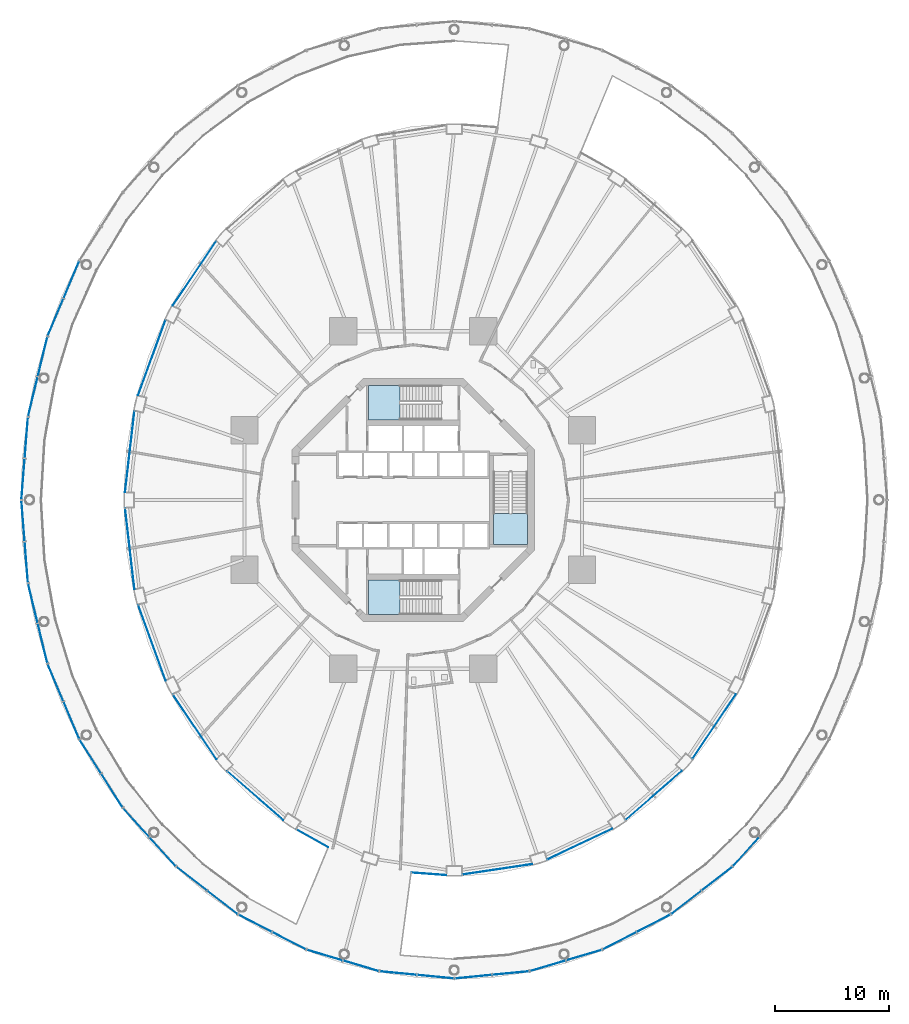
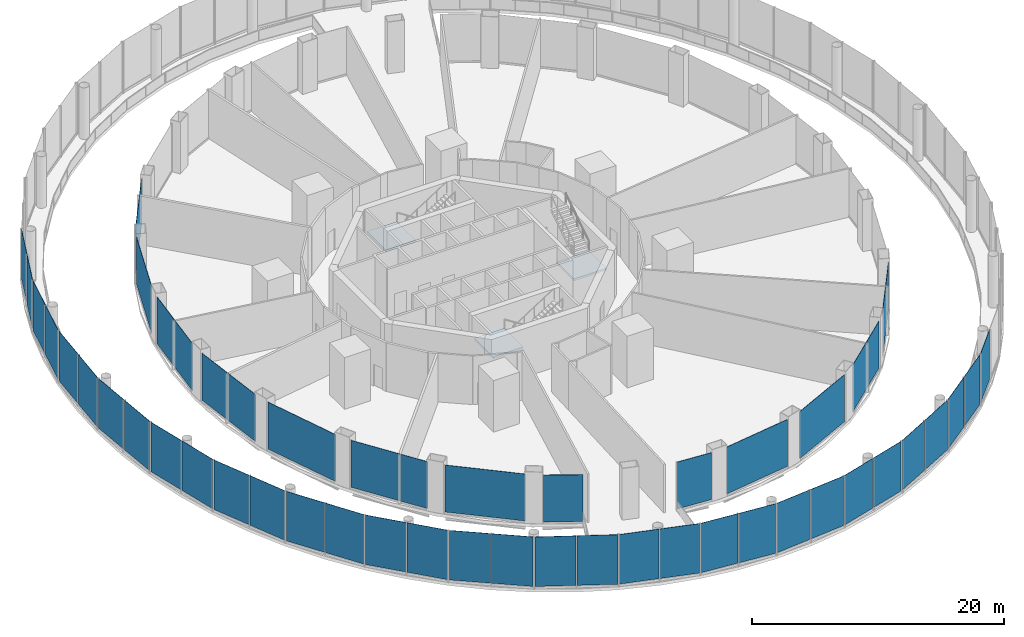
# One storey, part 39 of 48: 46 plates, 3 slabs, 33 elements without a shape of their own.
"""IFC4 building model written with IfcOpenShell, lengths in metres."""

from ifc_helpers import new_model, si_unit, direction, frame, origin, origin_2d, place, context, subcontext, project, spatial, polyline, rectangle, outline, extrude, material, layer, layer_set, type_object, element, aggregate, save


model = new_model("IFC4")

# Units and contexts
model_context = context("Model", 3, precision=1e-05, world=origin(), true_north=direction((0.0, 1.0)))
body_context = subcontext(model_context, "Body", "Model", "MODEL_VIEW")
ifc_project = project(units=[si_unit("LENGTHUNIT", "METRE"), si_unit("AREAUNIT", "SQUARE_METRE"), si_unit("VOLUMEUNIT", "CUBIC_METRE"), si_unit("PLANEANGLEUNIT", "RADIAN"), si_unit("MASSUNIT", "GRAM", prefix="KILO")], contexts=[model_context])

# Site, building, storey
site_placement = place(None, origin())
site = spatial("IfcSite", under=ifc_project, at=site_placement, CompositionType="ELEMENT")
building_placement = place(site_placement, origin())
building = spatial("IfcBuilding", under=site, at=building_placement, Name="Nagisa Residences", CompositionType="ELEMENT")
storey_placement = place(building_placement, frame((0.0, 0.0, 12.0)))
storey = spatial("IfcBuildingStorey", under=building, at=storey_placement, Name="L02", CompositionType="ELEMENT", Elevation=12.0)

# Curtain wall, plates
ifc_material_1 = material(Name="Stainless steel curtain wall system", Category="steel")
ifc_layer_1 = layer(ifc_material_1, 0.159912109375)
ifc_layer_set_1 = layer_set([ifc_layer_1], Name="CW3 CURTAIN WALL")
curtain_wall_type_1 = type_object("IfcCurtainWallType", Name="CW3 CURTAIN WALL", PredefinedType="NOTDEFINED", material=ifc_layer_set_1)
curtain_wall_1_placement = place(storey_placement, origin())
curtain_wall_1 = element("IfcCurtainWall", 1, at=curtain_wall_1_placement, inside=storey, type_object=curtain_wall_type_1, Name="cw:CW3:L02:15", PredefinedType="NOTDEFINED")
ifc_material_2 = material(Name="Low-iron laminated glass", Category="glass")
ifc_layer_2 = layer(ifc_material_2, 0.028076171875)
ifc_layer_set_2 = layer_set([ifc_layer_2], Name="CW3 GLASS PANEL")
plate_type_1 = type_object("IfcPlateType", Name="CW3 GLASS PANEL", PredefinedType="CURTAIN_PANEL", material=ifc_layer_set_2)
plate_1_placement = place(storey_placement, frame((-29.94287109375, 19.291748046875, 0.2001953125), z_axis=(0.0, 0.0, 1.0), x_axis=(-0.388718029417, -0.921356767819, 0.0)))
plate_1 = element("IfcPlate", 2, at=plate_1_placement, type_object=plate_type_1, Name="CW3 panel", PredefinedType="CURTAIN_PANEL", context=body_context, shape_type="SweptSolid", body=[
    extrude(rectangle(XDim=3.480712890625, YDim=0.028076171875, at=origin_2d()), origin(), (0.0, 0.0, 1.0), 4.800048828125),
])
plate_2_placement = place(storey_placement, frame((-31.326904296875, 16.010986328125, 0.2001953125), z_axis=(0.0, 0.0, 1.0), x_axis=(-0.388718029417, -0.921356767819, 0.0)))
plate_2 = element("IfcPlate", 3, at=plate_2_placement, type_object=plate_type_1, Name="CW3 panel", PredefinedType="CURTAIN_PANEL", context=body_context, shape_type="SweptSolid", body=[
    extrude(rectangle(XDim=3.480712890625, YDim=0.028076171875, at=origin_2d()), origin(), (0.0, 0.0, 1.0), 4.800048828125),
])
aggregate(curtain_wall_1, [plate_1, plate_2])

curtain_wall_2_placement = place(storey_placement, origin())
curtain_wall_2 = element("IfcCurtainWall", 4, at=curtain_wall_2_placement, inside=storey, type_object=curtain_wall_type_1, Name="cw:CW3:L02:16", PredefinedType="NOTDEFINED")
plate_3_placement = place(storey_placement, frame((-32.4638671875, 12.55859375, 0.2001953125), z_axis=(0.0, 0.0, 1.0), x_axis=(-0.235605514043, -0.971848775146, 0.0)))
plate_3 = element("IfcPlate", 5, at=plate_3_placement, type_object=plate_type_1, Name="CW3 panel", PredefinedType="CURTAIN_PANEL", context=body_context, shape_type="SweptSolid", body=[
    extrude(rectangle(XDim=3.518310546875, YDim=0.028076171875, at=origin_2d()), origin(), (0.0, 0.0, 1.0), 4.800048828125),
])
plate_4_placement = place(storey_placement, frame((-33.3115234375, 9.061767578125, 0.2001953125), z_axis=(0.0, 0.0, 1.0), x_axis=(-0.235605514043, -0.971848775146, 0.0)))
plate_4 = element("IfcPlate", 6, at=plate_4_placement, type_object=plate_type_1, Name="CW3 panel", PredefinedType="CURTAIN_PANEL", context=body_context, shape_type="SweptSolid", body=[
    extrude(rectangle(XDim=3.518310546875, YDim=0.028076171875, at=origin_2d()), origin(), (0.0, 0.0, 1.0), 4.800048828125),
])
aggregate(curtain_wall_2, [plate_3, plate_4])

curtain_wall_3_placement = place(storey_placement, origin())
curtain_wall_3 = element("IfcCurtainWall", 7, at=curtain_wall_3_placement, inside=storey, type_object=curtain_wall_type_1, Name="cw:CW3:L02:17", PredefinedType="NOTDEFINED")
plate_5_placement = place(storey_placement, frame((-33.888916015625, 5.443603515625, 0.2001953125), z_axis=(0.0, 0.0, 1.0), x_axis=(-0.078909582539, -0.996881777235, 0.0)))
plate_5 = element("IfcPlate", 8, at=plate_5_placement, type_object=plate_type_1, Name="CW3 panel", PredefinedType="CURTAIN_PANEL", context=body_context, shape_type="SweptSolid", body=[
    extrude(rectangle(XDim=3.5380859375, YDim=0.028076171875, at=origin_2d()), origin(), (0.0, 0.0, 1.0), 4.800048828125),
])
plate_6_placement = place(storey_placement, frame((-34.17431640625, 1.8369140625, 0.2001953125), z_axis=(0.0, 0.0, 1.0), x_axis=(-0.078909582539, -0.996881777235, 0.0)))
plate_6 = element("IfcPlate", 9, at=plate_6_placement, type_object=plate_type_1, Name="CW3 panel", PredefinedType="CURTAIN_PANEL", context=body_context, shape_type="SweptSolid", body=[
    extrude(rectangle(XDim=3.5380859375, YDim=0.028076171875, at=origin_2d()), origin(), (0.0, 0.0, 1.0), 4.800048828125),
])
aggregate(curtain_wall_3, [plate_5, plate_6])

curtain_wall_4_placement = place(storey_placement, origin())
curtain_wall_4 = element("IfcCurtainWall", 10, at=curtain_wall_4_placement, inside=storey, type_object=curtain_wall_type_1, Name="cw:CW3:L02:18", PredefinedType="NOTDEFINED")
plate_7_placement = place(storey_placement, frame((-34.17431640625, -1.8369140625, 0.2001953125), z_axis=(0.0, 0.0, 1.0), x_axis=(0.078909582539, -0.996881777235, 0.0)))
plate_7 = element("IfcPlate", 11, at=plate_7_placement, type_object=plate_type_1, Name="CW3 panel", PredefinedType="CURTAIN_PANEL", context=body_context, shape_type="SweptSolid", body=[
    extrude(rectangle(XDim=3.5380859375, YDim=0.028076171875, at=origin_2d()), origin(), (0.0, 0.0, 1.0), 4.800048828125),
])
plate_8_placement = place(storey_placement, frame((-33.888916015625, -5.443603515625, 0.2001953125), z_axis=(0.0, 0.0, 1.0), x_axis=(0.078909582539, -0.996881777235, 0.0)))
plate_8 = element("IfcPlate", 12, at=plate_8_placement, type_object=plate_type_1, Name="CW3 panel", PredefinedType="CURTAIN_PANEL", context=body_context, shape_type="SweptSolid", body=[
    extrude(rectangle(XDim=3.5380859375, YDim=0.028076171875, at=origin_2d()), origin(), (0.0, 0.0, 1.0), 4.800048828125),
])
aggregate(curtain_wall_4, [plate_7, plate_8])

curtain_wall_5_placement = place(storey_placement, origin())
curtain_wall_5 = element("IfcCurtainWall", 13, at=curtain_wall_5_placement, inside=storey, type_object=curtain_wall_type_1, Name="cw:CW3:L02:19", PredefinedType="NOTDEFINED")
plate_9_placement = place(storey_placement, frame((-33.3115234375, -9.061767578125, 0.2001953125), z_axis=(0.0, 0.0, 1.0), x_axis=(0.235605514043, -0.971848775146, 0.0)))
plate_9 = element("IfcPlate", 14, at=plate_9_placement, type_object=plate_type_1, Name="CW3 panel", PredefinedType="CURTAIN_PANEL", context=body_context, shape_type="SweptSolid", body=[
    extrude(rectangle(XDim=3.518310546875, YDim=0.028076171875, at=origin_2d()), origin(), (0.0, 0.0, 1.0), 4.800048828125),
])
plate_10_placement = place(storey_placement, frame((-32.4638671875, -12.55859375, 0.2001953125), z_axis=(0.0, 0.0, 1.0), x_axis=(0.235605514043, -0.971848775146, 0.0)))
plate_10 = element("IfcPlate", 15, at=plate_10_placement, type_object=plate_type_1, Name="CW3 panel", PredefinedType="CURTAIN_PANEL", context=body_context, shape_type="SweptSolid", body=[
    extrude(rectangle(XDim=3.518310546875, YDim=0.028076171875, at=origin_2d()), origin(), (0.0, 0.0, 1.0), 4.800048828125),
])
aggregate(curtain_wall_5, [plate_9, plate_10])

curtain_wall_6_placement = place(storey_placement, origin())
curtain_wall_6 = element("IfcCurtainWall", 16, at=curtain_wall_6_placement, inside=storey, type_object=curtain_wall_type_1, Name="cw:CW3:L02:20", PredefinedType="NOTDEFINED")
plate_11_placement = place(storey_placement, frame((-31.326904296875, -16.010986328125, 0.2001953125), z_axis=(0.0, 0.0, 1.0), x_axis=(0.388718029417, -0.921356767819, 0.0)))
plate_11 = element("IfcPlate", 17, at=plate_11_placement, type_object=plate_type_1, Name="CW3 panel", PredefinedType="CURTAIN_PANEL", context=body_context, shape_type="SweptSolid", body=[
    extrude(rectangle(XDim=3.480712890625, YDim=0.028076171875, at=origin_2d()), origin(), (0.0, 0.0, 1.0), 4.800048828125),
])
plate_12_placement = place(storey_placement, frame((-29.94287109375, -19.291748046875, 0.2001953125), z_axis=(0.0, 0.0, 1.0), x_axis=(0.388718029417, -0.921356767819, 0.0)))
plate_12 = element("IfcPlate", 18, at=plate_12_placement, type_object=plate_type_1, Name="CW3 panel", PredefinedType="CURTAIN_PANEL", context=body_context, shape_type="SweptSolid", body=[
    extrude(rectangle(XDim=3.480712890625, YDim=0.028076171875, at=origin_2d()), origin(), (0.0, 0.0, 1.0), 4.800048828125),
])
aggregate(curtain_wall_6, [plate_11, plate_12])

curtain_wall_7_placement = place(storey_placement, origin())
curtain_wall_7 = element("IfcCurtainWall", 19, at=curtain_wall_7_placement, inside=storey, type_object=curtain_wall_type_1, Name="cw:CW3:L02:21", PredefinedType="NOTDEFINED")
plate_13_placement = place(storey_placement, frame((-28.28076171875, -22.473388671875, 0.2001953125), z_axis=(0.0, 0.0, 1.0), x_axis=(0.535165286856, -0.844747368001, 0.0)))
plate_13 = element("IfcPlate", 20, at=plate_13_placement, type_object=plate_type_1, Name="CW3 panel", PredefinedType="CURTAIN_PANEL", context=body_context, shape_type="SweptSolid", body=[
    extrude(rectangle(XDim=3.4296875, YDim=0.028076171875, at=origin_2d()), origin(), (0.0, 0.0, 1.0), 4.800048828125),
])
plate_14_placement = place(storey_placement, frame((-26.402587890625, -25.43798828125, 0.2001953125), z_axis=(0.0, 0.0, 1.0), x_axis=(0.535165286856, -0.844747368001, 0.0)))
plate_14 = element("IfcPlate", 21, at=plate_14_placement, type_object=plate_type_1, Name="CW3 panel", PredefinedType="CURTAIN_PANEL", context=body_context, shape_type="SweptSolid", body=[
    extrude(rectangle(XDim=3.4296875, YDim=0.028076171875, at=origin_2d()), origin(), (0.0, 0.0, 1.0), 4.800048828125),
])
aggregate(curtain_wall_7, [plate_13, plate_14])

curtain_wall_8_placement = place(storey_placement, origin())
curtain_wall_8 = element("IfcCurtainWall", 22, at=curtain_wall_8_placement, inside=storey, type_object=curtain_wall_type_1, Name="cw:CW3:L02:22", PredefinedType="NOTDEFINED")
plate_15_placement = place(storey_placement, frame((-24.26611328125, -28.25244140625, 0.2001953125), z_axis=(0.0, 0.0, 1.0), x_axis=(0.670913323971, -0.741535779122, 0.0)))
plate_15 = element("IfcPlate", 23, at=plate_15_placement, type_object=plate_type_1, Name="CW3 panel", PredefinedType="CURTAIN_PANEL", context=body_context, shape_type="SweptSolid", body=[
    extrude(rectangle(XDim=3.37060546875, YDim=0.028076171875, at=origin_2d()), origin(), (0.0, 0.0, 1.0), 4.800048828125),
])
plate_16_placement = place(storey_placement, frame((-21.950927734375, -30.811279296875, 0.2001953125), z_axis=(0.0, 0.0, 1.0), x_axis=(0.670913323971, -0.741535779122, 0.0)))
plate_16 = element("IfcPlate", 24, at=plate_16_placement, type_object=plate_type_1, Name="CW3 panel", PredefinedType="CURTAIN_PANEL", context=body_context, shape_type="SweptSolid", body=[
    extrude(rectangle(XDim=3.37060546875, YDim=0.028076171875, at=origin_2d()), origin(), (0.0, 0.0, 1.0), 4.800048828125),
])
aggregate(curtain_wall_8, [plate_15, plate_16])

curtain_wall_9_placement = place(storey_placement, origin())
curtain_wall_9 = element("IfcCurtainWall", 25, at=curtain_wall_9_placement, inside=storey, type_object=curtain_wall_type_1, Name="cw:CW3:L02:23", PredefinedType="NOTDEFINED")
plate_17_placement = place(storey_placement, frame((-19.40478515625, -33.172607421875, 0.2001953125), z_axis=(0.0, 0.0, 1.0), x_axis=(0.790830864353, -0.612034757172, 0.0)))
plate_17 = element("IfcPlate", 26, at=plate_17_placement, type_object=plate_type_1, Name="CW3 panel", PredefinedType="CURTAIN_PANEL", context=body_context, shape_type="SweptSolid", body=[
    extrude(rectangle(XDim=3.310546875, YDim=0.028076171875, at=origin_2d()), origin(), (0.0, 0.0, 1.0), 4.800048828125),
])
plate_18_placement = place(storey_placement, frame((-16.723388671875, -35.247802734375, 0.2001953125), z_axis=(0.0, 0.0, 1.0), x_axis=(0.790830864353, -0.612034757172, 0.0)))
plate_18 = element("IfcPlate", 27, at=plate_18_placement, type_object=plate_type_1, Name="CW3 panel", PredefinedType="CURTAIN_PANEL", context=body_context, shape_type="SweptSolid", body=[
    extrude(rectangle(XDim=3.310546875, YDim=0.028076171875, at=origin_2d()), origin(), (0.0, 0.0, 1.0), 4.800048828125),
])
aggregate(curtain_wall_9, [plate_17, plate_18])

curtain_wall_10_placement = place(storey_placement, origin())
curtain_wall_10 = element("IfcCurtainWall", 28, at=curtain_wall_10_placement, inside=storey, type_object=curtain_wall_type_1, Name="cw:CW3:L02:24", PredefinedType="NOTDEFINED")
plate_19_placement = place(storey_placement, frame((-13.8447265625, -37.084716796875, 0.2001953125), z_axis=(0.0, 0.0, 1.0), x_axis=(0.888887270285, -0.45812598783, 0.0)))
plate_19 = element("IfcPlate", 29, at=plate_19_placement, type_object=plate_type_1, Name="CW3 panel", PredefinedType="CURTAIN_PANEL", context=body_context, shape_type="SweptSolid", body=[
    extrude(rectangle(XDim=3.2568359375, YDim=0.028076171875, at=origin_2d()), origin(), (0.0, 0.0, 1.0), 4.800048828125),
])
plate_20_placement = place(storey_placement, frame((-10.878662109375, -38.61328125, 0.2001953125), z_axis=(0.0, 0.0, 1.0), x_axis=(0.888887270285, -0.45812598783, 0.0)))
plate_20 = element("IfcPlate", 30, at=plate_20_placement, type_object=plate_type_1, Name="CW3 panel", PredefinedType="CURTAIN_PANEL", context=body_context, shape_type="SweptSolid", body=[
    extrude(rectangle(XDim=3.2568359375, YDim=0.028076171875, at=origin_2d()), origin(), (0.0, 0.0, 1.0), 4.800048828125),
])
aggregate(curtain_wall_10, [plate_19, plate_20])

curtain_wall_11_placement = place(storey_placement, origin())
curtain_wall_11 = element("IfcCurtainWall", 31, at=curtain_wall_11_placement, inside=storey, type_object=curtain_wall_type_1, Name="cw:CW3:L02:25", PredefinedType="NOTDEFINED")
plate_21_placement = place(storey_placement, frame((-7.75537109375, -39.869873046875, 0.2001953125), z_axis=(0.0, 0.0, 1.0), x_axis=(0.958835171393, -0.283963226669, 0.0)))
plate_21 = element("IfcPlate", 32, at=plate_21_placement, type_object=plate_type_1, Name="CW3 panel", PredefinedType="CURTAIN_PANEL", context=body_context, shape_type="SweptSolid", body=[
    extrude(rectangle(XDim=3.21630859375, YDim=0.028076171875, at=origin_2d()), origin(), (0.0, 0.0, 1.0), 4.800048828125),
])
plate_22_placement = place(storey_placement, frame((-4.5947265625, -40.805908203125, 0.2001953125), z_axis=(0.0, 0.0, 1.0), x_axis=(0.958835171393, -0.283963226669, 0.0)))
plate_22 = element("IfcPlate", 33, at=plate_22_placement, type_object=plate_type_1, Name="CW3 panel", PredefinedType="CURTAIN_PANEL", context=body_context, shape_type="SweptSolid", body=[
    extrude(rectangle(XDim=3.21630859375, YDim=0.028076171875, at=origin_2d()), origin(), (0.0, 0.0, 1.0), 4.800048828125),
])
aggregate(curtain_wall_11, [plate_21, plate_22])

curtain_wall_12_placement = place(storey_placement, origin())
curtain_wall_12 = element("IfcCurtainWall", 34, at=curtain_wall_12_placement, inside=storey, type_object=curtain_wall_type_1, Name="cw:CW3:L02:26", PredefinedType="NOTDEFINED")
plate_23_placement = place(storey_placement, frame((-1.3212890625, -41.44384765625, 0.2001953125), z_axis=(0.0, 0.0, 1.0), x_axis=(0.995357282289, -0.096249055035, 0.0)))
plate_23 = element("IfcPlate", 35, at=plate_23_placement, type_object=plate_type_1, Name="CW3 panel", PredefinedType="CURTAIN_PANEL", context=body_context, shape_type="SweptSolid", body=[
    extrude(rectangle(XDim=3.19482421875, YDim=0.028076171875, at=origin_2d()), origin(), (0.0, 0.0, 1.0), 4.800048828125),
])
plate_24_placement = place(storey_placement, frame((1.938232421875, -41.759033203125, 0.2001953125), z_axis=(0.0, 0.0, 1.0), x_axis=(0.995357282289, -0.096249055035, 0.0)))
plate_24 = element("IfcPlate", 36, at=plate_24_placement, type_object=plate_type_1, Name="CW3 panel", PredefinedType="CURTAIN_PANEL", context=body_context, shape_type="SweptSolid", body=[
    extrude(rectangle(XDim=3.19482421875, YDim=0.028076171875, at=origin_2d()), origin(), (0.0, 0.0, 1.0), 4.800048828125),
])
aggregate(curtain_wall_12, [plate_23, plate_24])

curtain_wall_13_placement = place(storey_placement, origin())
curtain_wall_13 = element("IfcCurtainWall", 37, at=curtain_wall_13_placement, inside=storey, type_object=curtain_wall_type_1, Name="cw:CW3:L02:27", PredefinedType="NOTDEFINED")
plate_25_placement = place(storey_placement, frame((5.261962890625, -41.759033203125, 0.2001953125), z_axis=(0.0, 0.0, 1.0), x_axis=(0.995357282289, 0.096249055035, 0.0)))
plate_25 = element("IfcPlate", 38, at=plate_25_placement, type_object=plate_type_1, Name="CW3 panel", PredefinedType="CURTAIN_PANEL", context=body_context, shape_type="SweptSolid", body=[
    extrude(rectangle(XDim=3.19482421875, YDim=0.028076171875, at=origin_2d()), origin(), (0.0, 0.0, 1.0), 4.800048828125),
])
plate_26_placement = place(storey_placement, frame((8.521484375, -41.44384765625, 0.2001953125), z_axis=(0.0, 0.0, 1.0), x_axis=(0.995357282289, 0.096249055035, 0.0)))
plate_26 = element("IfcPlate", 39, at=plate_26_placement, type_object=plate_type_1, Name="CW3 panel", PredefinedType="CURTAIN_PANEL", context=body_context, shape_type="SweptSolid", body=[
    extrude(rectangle(XDim=3.19482421875, YDim=0.028076171875, at=origin_2d()), origin(), (0.0, 0.0, 1.0), 4.800048828125),
])
aggregate(curtain_wall_13, [plate_25, plate_26])

curtain_wall_14_placement = place(storey_placement, origin())
curtain_wall_14 = element("IfcCurtainWall", 40, at=curtain_wall_14_placement, inside=storey, type_object=curtain_wall_type_1, Name="cw:CW3:L02:28", PredefinedType="NOTDEFINED")
plate_27_placement = place(storey_placement, frame((11.794677734375, -40.805908203125, 0.2001953125), z_axis=(0.0, 0.0, 1.0), x_axis=(0.958835171393, 0.283963226669, 0.0)))
plate_27 = element("IfcPlate", 41, at=plate_27_placement, type_object=plate_type_1, Name="CW3 panel", PredefinedType="CURTAIN_PANEL", context=body_context, shape_type="SweptSolid", body=[
    extrude(rectangle(XDim=3.21630859375, YDim=0.028076171875, at=origin_2d()), origin(), (0.0, 0.0, 1.0), 4.800048828125),
])
plate_28_placement = place(storey_placement, frame((14.955322265625, -39.869873046875, 0.2001953125), z_axis=(0.0, 0.0, 1.0), x_axis=(0.958835171393, 0.283963226669, 0.0)))
plate_28 = element("IfcPlate", 42, at=plate_28_placement, type_object=plate_type_1, Name="CW3 panel", PredefinedType="CURTAIN_PANEL", context=body_context, shape_type="SweptSolid", body=[
    extrude(rectangle(XDim=3.21630859375, YDim=0.028076171875, at=origin_2d()), origin(), (0.0, 0.0, 1.0), 4.800048828125),
])
aggregate(curtain_wall_14, [plate_27, plate_28])

curtain_wall_15_placement = place(storey_placement, origin())
curtain_wall_15 = element("IfcCurtainWall", 43, at=curtain_wall_15_placement, inside=storey, type_object=curtain_wall_type_1, Name="cw:CW3:L02:29", PredefinedType="NOTDEFINED")
plate_29_placement = place(storey_placement, frame((18.07861328125, -38.61328125, 0.2001953125), z_axis=(0.0, 0.0, 1.0), x_axis=(0.888887270285, 0.45812598783, 0.0)))
plate_29 = element("IfcPlate", 44, at=plate_29_placement, type_object=plate_type_1, Name="CW3 panel", PredefinedType="CURTAIN_PANEL", context=body_context, shape_type="SweptSolid", body=[
    extrude(rectangle(XDim=3.2568359375, YDim=0.028076171875, at=origin_2d()), origin(), (0.0, 0.0, 1.0), 4.800048828125),
])
plate_30_placement = place(storey_placement, frame((21.044677734375, -37.084716796875, 0.2001953125), z_axis=(0.0, 0.0, 1.0), x_axis=(0.888887270285, 0.45812598783, 0.0)))
plate_30 = element("IfcPlate", 45, at=plate_30_placement, type_object=plate_type_1, Name="CW3 panel", PredefinedType="CURTAIN_PANEL", context=body_context, shape_type="SweptSolid", body=[
    extrude(rectangle(XDim=3.2568359375, YDim=0.028076171875, at=origin_2d()), origin(), (0.0, 0.0, 1.0), 4.800048828125),
])
aggregate(curtain_wall_15, [plate_29, plate_30])

curtain_wall_16_placement = place(storey_placement, origin())
curtain_wall_16 = element("IfcCurtainWall", 46, at=curtain_wall_16_placement, inside=storey, type_object=curtain_wall_type_1, Name="cw:CW3:L02:30", PredefinedType="NOTDEFINED")
plate_31_placement = place(storey_placement, frame((23.92333984375, -35.247802734375, 0.2001953125), z_axis=(0.0, 0.0, 1.0), x_axis=(0.790830864353, 0.612034757172, 0.0)))
plate_31 = element("IfcPlate", 47, at=plate_31_placement, type_object=plate_type_1, Name="CW3 panel", PredefinedType="CURTAIN_PANEL", context=body_context, shape_type="SweptSolid", body=[
    extrude(rectangle(XDim=3.310546875, YDim=0.028076171875, at=origin_2d()), origin(), (0.0, 0.0, 1.0), 4.800048828125),
])
plate_32_placement = place(storey_placement, frame((26.604736328125, -33.172607421875, 0.2001953125), z_axis=(0.0, 0.0, 1.0), x_axis=(0.790830864353, 0.612034757172, 0.0)))
plate_32 = element("IfcPlate", 48, at=plate_32_placement, type_object=plate_type_1, Name="CW3 panel", PredefinedType="CURTAIN_PANEL", context=body_context, shape_type="SweptSolid", body=[
    extrude(rectangle(XDim=3.310546875, YDim=0.028076171875, at=origin_2d()), origin(), (0.0, 0.0, 1.0), 4.800048828125),
])
aggregate(curtain_wall_16, [plate_31, plate_32])

# Curtain wall, plate
curtain_wall_17_placement = place(storey_placement, origin())
curtain_wall_17 = element("IfcCurtainWall", 49, at=curtain_wall_17_placement, inside=storey, type_object=curtain_wall_type_1, Name="cw:CW3:L02:31", PredefinedType="NOTDEFINED")
plate_33_placement = place(storey_placement, frame((29.15087890625, -30.811279296875, 0.2001953125), z_axis=(0.0, 0.0, 1.0), x_axis=(0.670913323971, 0.741535779122, 0.0)))
plate_33 = element("IfcPlate", 50, at=plate_33_placement, type_object=plate_type_1, Name="CW3 panel", PredefinedType="CURTAIN_PANEL", context=body_context, shape_type="SweptSolid", body=[
    extrude(rectangle(XDim=3.37060546875, YDim=0.028076171875, at=origin_2d()), origin(), (0.0, 0.0, 1.0), 4.800048828125),
])
aggregate(curtain_wall_17, [plate_33])

ifc_material_3 = material(Name="Stainless steel curtain wall system", Category="steel")
ifc_layer_3 = layer(ifc_material_3, 0.159912109375)
ifc_layer_set_3 = layer_set([ifc_layer_3], Name="CW6 CURTAIN WALL")
curtain_wall_type_2 = type_object("IfcCurtainWallType", Name="CW6 CURTAIN WALL", PredefinedType="NOTDEFINED", material=ifc_layer_set_3)
curtain_wall_18_placement = place(storey_placement, origin())
curtain_wall_18 = element("IfcCurtainWall", 51, at=curtain_wall_18_placement, inside=storey, type_object=curtain_wall_type_2, Name="cw:CW6:L02:18", PredefinedType="NOTDEFINED")
ifc_material_4 = material(Name="Low-iron laminated glass", Category="glass")
ifc_layer_4 = layer(ifc_material_4, 0.028076171875)
ifc_layer_set_4 = layer_set([ifc_layer_4], Name="CW6 GLASS PANEL")
plate_type_2 = type_object("IfcPlateType", Name="CW6 GLASS PANEL", PredefinedType="CURTAIN_PANEL", material=ifc_layer_set_4)
plate_34_placement = place(storey_placement, frame((-19.160888671875, 19.84765625, 0.14990234375), z_axis=(0.0, 0.0, 1.0), x_axis=(-0.559084136544, -0.829110926393, 0.0)))
plate_34 = element("IfcPlate", 52, at=plate_34_placement, type_object=plate_type_2, Name="CW6 panel", PredefinedType="CURTAIN_PANEL", context=body_context, shape_type="SweptSolid", body=[
    extrude(rectangle(XDim=6.783203125, YDim=0.028076171875, at=origin_2d()), origin(), (0.0, 0.0, 1.0), 4.550048828125),
])
aggregate(curtain_wall_18, [plate_34])

curtain_wall_19_placement = place(storey_placement, origin())
curtain_wall_19 = element("IfcCurtainWall", 53, at=curtain_wall_19_placement, inside=storey, type_object=curtain_wall_type_2, Name="cw:CW6:L02:20", PredefinedType="NOTDEFINED")
plate_35_placement = place(storey_placement, frame((-22.8984375, 12.46484375, 0.14990234375), z_axis=(0.0, 0.0, 1.0), x_axis=(-0.342049702176, -0.939681861718, 0.0)))
plate_35 = element("IfcPlate", 54, at=plate_35_placement, type_object=plate_type_2, Name="CW6 panel", PredefinedType="CURTAIN_PANEL", context=body_context, shape_type="SweptSolid", body=[
    extrude(rectangle(XDim=7.009765625, YDim=0.028076171875, at=origin_2d()), origin(), (0.0, 0.0, 1.0), 4.550048828125),
])
aggregate(curtain_wall_19, [plate_35])

curtain_wall_20_placement = place(storey_placement, origin())
curtain_wall_20 = element("IfcCurtainWall", 55, at=curtain_wall_20_placement, inside=storey, type_object=curtain_wall_type_2, Name="cw:CW6:L02:22", PredefinedType="NOTDEFINED")
plate_36_placement = place(storey_placement, frame((-24.829833984375, 4.2314453125, 0.14990234375), z_axis=(0.0, 0.0, 1.0), x_axis=(-0.114928006139, -0.993373823596, 0.0)))
plate_36 = element("IfcPlate", 56, at=plate_36_placement, type_object=plate_type_2, Name="CW6 panel", PredefinedType="CURTAIN_PANEL", context=body_context, shape_type="SweptSolid", body=[
    extrude(rectangle(XDim=7.137939453125, YDim=0.028076171875, at=origin_2d()), origin(), (0.0, 0.0, 1.0), 4.550048828125),
])
aggregate(curtain_wall_20, [plate_36])

curtain_wall_21_placement = place(storey_placement, origin())
curtain_wall_21 = element("IfcCurtainWall", 57, at=curtain_wall_21_placement, inside=storey, type_object=curtain_wall_type_2, Name="cw:CW6:L02:24", PredefinedType="NOTDEFINED")
plate_37_placement = place(storey_placement, frame((-24.822998046875, -4.291015625, 0.14990234375), z_axis=(0.0, 0.0, 1.0), x_axis=(0.114928006139, -0.993373823596, 0.0)))
plate_37 = element("IfcPlate", 58, at=plate_37_placement, type_object=plate_type_2, Name="CW6 panel", PredefinedType="CURTAIN_PANEL", context=body_context, shape_type="SweptSolid", body=[
    extrude(rectangle(XDim=7.137939453125, YDim=0.028076171875, at=origin_2d()), origin(), (0.0, 0.0, 1.0), 4.550048828125),
])
aggregate(curtain_wall_21, [plate_37])

curtain_wall_22_placement = place(storey_placement, origin())
curtain_wall_22 = element("IfcCurtainWall", 59, at=curtain_wall_22_placement, inside=storey, type_object=curtain_wall_type_2, Name="cw:CW6:L02:26", PredefinedType="NOTDEFINED")
plate_38_placement = place(storey_placement, frame((-22.8779296875, -12.521240234375, 0.14990234375), z_axis=(0.0, 0.0, 1.0), x_axis=(0.342049702176, -0.939681861718, 0.0)))
plate_38 = element("IfcPlate", 60, at=plate_38_placement, type_object=plate_type_2, Name="CW6 panel", PredefinedType="CURTAIN_PANEL", context=body_context, shape_type="SweptSolid", body=[
    extrude(rectangle(XDim=7.009765625, YDim=0.028076171875, at=origin_2d()), origin(), (0.0, 0.0, 1.0), 4.550048828125),
])
aggregate(curtain_wall_22, [plate_38])

curtain_wall_23_placement = place(storey_placement, origin())
curtain_wall_23 = element("IfcCurtainWall", 61, at=curtain_wall_23_placement, inside=storey, type_object=curtain_wall_type_2, Name="cw:CW6:L02:28", PredefinedType="NOTDEFINED")
plate_39_placement = place(storey_placement, frame((-19.127197265625, -19.8974609375, 0.14990234375), z_axis=(0.0, 0.0, 1.0), x_axis=(0.559084136544, -0.829110926393, 0.0)))
plate_39 = element("IfcPlate", 62, at=plate_39_placement, type_object=plate_type_2, Name="CW6 panel", PredefinedType="CURTAIN_PANEL", context=body_context, shape_type="SweptSolid", body=[
    extrude(rectangle(XDim=6.783203125, YDim=0.028076171875, at=origin_2d()), origin(), (0.0, 0.0, 1.0), 4.550048828125),
])
aggregate(curtain_wall_23, [plate_39])

curtain_wall_24_placement = place(storey_placement, origin())
curtain_wall_24 = element("IfcCurtainWall", 63, at=curtain_wall_24_placement, inside=storey, type_object=curtain_wall_type_2, Name="cw:CW6:L02:30", PredefinedType="NOTDEFINED")
plate_40_placement = place(storey_placement, frame((-13.827880859375, -25.916259765625, 0.14990234375), z_axis=(0.0, 0.0, 1.0), x_axis=(0.753261216572, -0.657721475708, 0.0)))
plate_40 = element("IfcPlate", 64, at=plate_40_placement, type_object=plate_type_2, Name="CW6 panel", PredefinedType="CURTAIN_PANEL", context=body_context, shape_type="SweptSolid", body=[
    extrude(rectangle(XDim=6.513427734375, YDim=0.028076171875, at=origin_2d()), origin(), (0.0, 0.0, 1.0), 4.550048828125),
])
aggregate(curtain_wall_24, [plate_40])

curtain_wall_25_placement = place(storey_placement, origin())
curtain_wall_25 = element("IfcCurtainWall", 65, at=curtain_wall_25_placement, inside=storey, type_object=curtain_wall_type_2, Name="cw:CW6:L02:32", PredefinedType="NOTDEFINED")
plate_41_placement = place(storey_placement, frame((-8.828369140625, -29.649658203125, 0.14990234375), z_axis=(0.0, 0.0, 1.0), x_axis=(0.872072377523, -0.489376918501, 0.0)))
plate_41 = element("IfcPlate", 66, at=plate_41_placement, type_object=plate_type_2, Name="CW6 panel", PredefinedType="CURTAIN_PANEL", context=body_context, shape_type="SweptSolid", body=[
    extrude(rectangle(XDim=3.141357421875, YDim=0.028076171875, at=origin_2d()), origin(), (0.0, 0.0, 1.0), 4.550048828125),
])
aggregate(curtain_wall_25, [plate_41])

curtain_wall_26_placement = place(storey_placement, origin())
curtain_wall_26 = element("IfcCurtainWall", 67, at=curtain_wall_26_placement, inside=storey, type_object=curtain_wall_type_2, Name="cw:CW6:L02:35", PredefinedType="NOTDEFINED")
plate_42_placement = place(storey_placement, frame((1.394287109375, -32.75537109375, 0.14990234375), z_axis=(0.0, 0.0, 1.0), x_axis=(0.997230168512, -0.074377355493, 0.0)))
plate_42 = element("IfcPlate", 68, at=plate_42_placement, type_object=plate_type_2, Name="CW6 panel", PredefinedType="CURTAIN_PANEL", context=body_context, shape_type="SweptSolid", body=[
    extrude(rectangle(XDim=3.035888671875, YDim=0.028076171875, at=origin_2d()), origin(), (0.0, 0.0, 1.0), 4.550048828125),
])
aggregate(curtain_wall_26, [plate_42])

curtain_wall_27_placement = place(storey_placement, origin())
curtain_wall_27 = element("IfcCurtainWall", 69, at=curtain_wall_27_placement, inside=storey, type_object=curtain_wall_type_2, Name="cw:CW6:L02:36", PredefinedType="NOTDEFINED")
plate_43_placement = place(storey_placement, frame((7.37060546875, -32.354248046875, 0.14990234375), z_axis=(0.0, 0.0, 1.0), x_axis=(0.988963689083, 0.148158096894, 0.0)))
plate_43 = element("IfcPlate", 70, at=plate_43_placement, type_object=plate_type_2, Name="CW6 panel", PredefinedType="CURTAIN_PANEL", context=body_context, shape_type="SweptSolid", body=[
    extrude(rectangle(XDim=6.12939453125, YDim=0.028076171875, at=origin_2d()), origin(), (0.0, 0.0, 1.0), 4.550048828125),
])
aggregate(curtain_wall_27, [plate_43])

curtain_wall_28_placement = place(storey_placement, origin())
curtain_wall_28 = element("IfcCurtainWall", 71, at=curtain_wall_28_placement, inside=storey, type_object=curtain_wall_type_2, Name="cw:CW6:L02:38", PredefinedType="NOTDEFINED")
plate_44_placement = place(storey_placement, frame((14.595947265625, -30.14208984375, 0.14990234375), z_axis=(0.0, 0.0, 1.0), x_axis=(0.904554286432, 0.426358467603, 0.0)))
plate_44 = element("IfcPlate", 72, at=plate_44_placement, type_object=plate_type_2, Name="CW6 panel", PredefinedType="CURTAIN_PANEL", context=body_context, shape_type="SweptSolid", body=[
    extrude(rectangle(XDim=6.272216796875, YDim=0.028076171875, at=origin_2d()), origin(), (0.0, 0.0, 1.0), 4.550048828125),
])
aggregate(curtain_wall_28, [plate_44])

curtain_wall_29_placement = place(storey_placement, origin())
curtain_wall_29 = element("IfcCurtainWall", 73, at=curtain_wall_29_placement, inside=storey, type_object=curtain_wall_type_2, Name="cw:CW6:L02:40", PredefinedType="NOTDEFINED")
plate_45_placement = place(storey_placement, frame((21.072998046875, -25.876708984375, 0.14990234375), z_axis=(0.0, 0.0, 1.0), x_axis=(0.753261216572, 0.657721475708, 0.0)))
plate_45 = element("IfcPlate", 74, at=plate_45_placement, type_object=plate_type_2, Name="CW6 panel", PredefinedType="CURTAIN_PANEL", context=body_context, shape_type="SweptSolid", body=[
    extrude(rectangle(XDim=6.513427734375, YDim=0.028076171875, at=origin_2d()), origin(), (0.0, 0.0, 1.0), 4.550048828125),
])
aggregate(curtain_wall_29, [plate_45])

curtain_wall_30_placement = place(storey_placement, origin())
curtain_wall_30 = element("IfcCurtainWall", 75, at=curtain_wall_30_placement, inside=storey, type_object=curtain_wall_type_2, Name="cw:CW6:L02:42", PredefinedType="NOTDEFINED")
plate_46_placement = place(storey_placement, frame((26.36083984375, -19.84765625, 0.14990234375), z_axis=(0.0, 0.0, 1.0), x_axis=(0.559084136544, 0.829110926393, 0.0)))
plate_46 = element("IfcPlate", 76, at=plate_46_placement, type_object=plate_type_2, Name="CW6 panel", PredefinedType="CURTAIN_PANEL", context=body_context, shape_type="SweptSolid", body=[
    extrude(rectangle(XDim=6.783203125, YDim=0.028076171875, at=origin_2d()), origin(), (0.0, 0.0, 1.0), 4.550048828125),
])
aggregate(curtain_wall_30, [plate_46])

# Stair, slab
ifc_material_5 = material(Name="Concrete C60", Category="concrete")
stair_type = type_object("IfcStairType", Name="Exit stair", PredefinedType="HALF_TURN_STAIR", material=ifc_material_5)
stair_1_placement = place(storey_placement, origin())
stair_1 = element("IfcStair", 77, at=stair_1_placement, inside=storey, type_object=stair_type, Name="L02 Exit stair E", PredefinedType="HALF_TURN_STAIR")
ifc_material_6 = material(Name="Concrete C60", Category="concrete")
ifc_layer_5 = layer(ifc_material_6, 0.199951171875)
ifc_layer_set_5 = layer_set([ifc_layer_5], Name="Stair landing")
slab_type = type_object("IfcSlabType", Name="Stair landing", PredefinedType="LANDING", material=ifc_layer_set_5)
slab_1_placement = place(storey_placement, frame((0.0, 0.0, 2.300048828125)))
slab_1 = element("IfcSlab", 78, at=slab_1_placement, type_object=slab_type, Name="ST-E landing 1", PredefinedType="LANDING", context=body_context, shape_type="SweptSolid", body=[
    extrude(outline(polyline([(7.024658203125, -1.1650390625), (7.024658203125, -3.89990234375), (10.024658203125, -3.89990234375), (10.024658203125, -1.1650390625), (7.024658203125, -1.1650390625)])), origin(), (0.0, 0.0, 1.0), 0.199951171875),
])
aggregate(stair_1, [slab_1])

stair_2_placement = place(storey_placement, origin())
stair_2 = element("IfcStair", 79, at=stair_2_placement, inside=storey, type_object=stair_type, Name="L02 Exit stair N", PredefinedType="HALF_TURN_STAIR")
slab_2_placement = place(storey_placement, frame((0.0, 0.0, 2.300048828125)))
slab_2 = element("IfcSlab", 80, at=slab_2_placement, type_object=slab_type, Name="ST-N landing 1", PredefinedType="LANDING", context=body_context, shape_type="SweptSolid", body=[
    extrude(outline(polyline([(-1.1650390625, 10.024658203125), (-3.89990234375, 10.024658203125), (-3.89990234375, 7.024658203125), (-1.1650390625, 7.024658203125), (-1.1650390625, 10.024658203125)])), origin(), (0.0, 0.0, 1.0), 0.199951171875),
])
aggregate(stair_2, [slab_2])

stair_3_placement = place(storey_placement, origin())
stair_3 = element("IfcStair", 81, at=stair_3_placement, inside=storey, type_object=stair_type, Name="L02 Exit stair S", PredefinedType="HALF_TURN_STAIR")
slab_3_placement = place(storey_placement, frame((0.0, 0.0, 2.300048828125)))
slab_3 = element("IfcSlab", 82, at=slab_3_placement, type_object=slab_type, Name="ST-S landing 1", PredefinedType="LANDING", context=body_context, shape_type="SweptSolid", body=[
    extrude(outline(polyline([(-1.1650390625, -7.024658203125), (-3.89990234375, -7.024658203125), (-3.89990234375, -10.024658203125), (-1.1650390625, -10.024658203125), (-1.1650390625, -7.024658203125)])), origin(), (0.0, 0.0, 1.0), 0.199951171875),
])
aggregate(stair_3, [slab_3])

save(model, "model.ifc")
